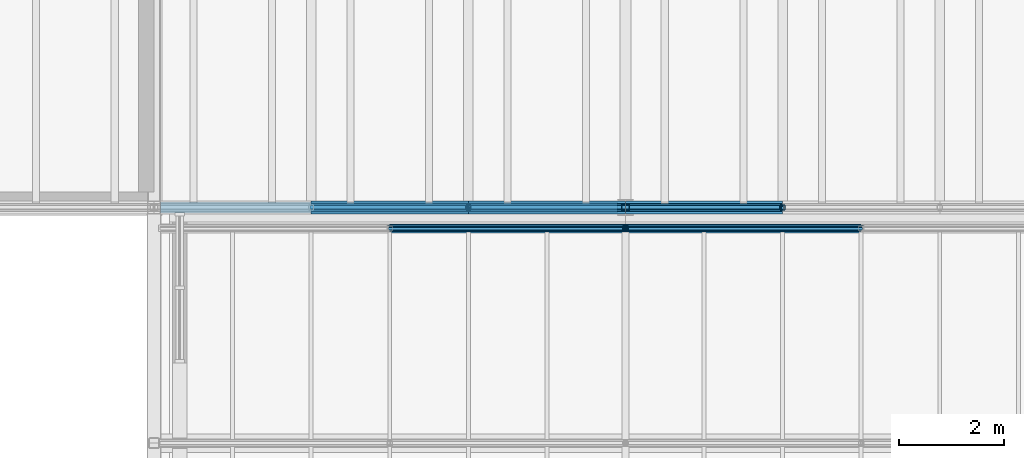
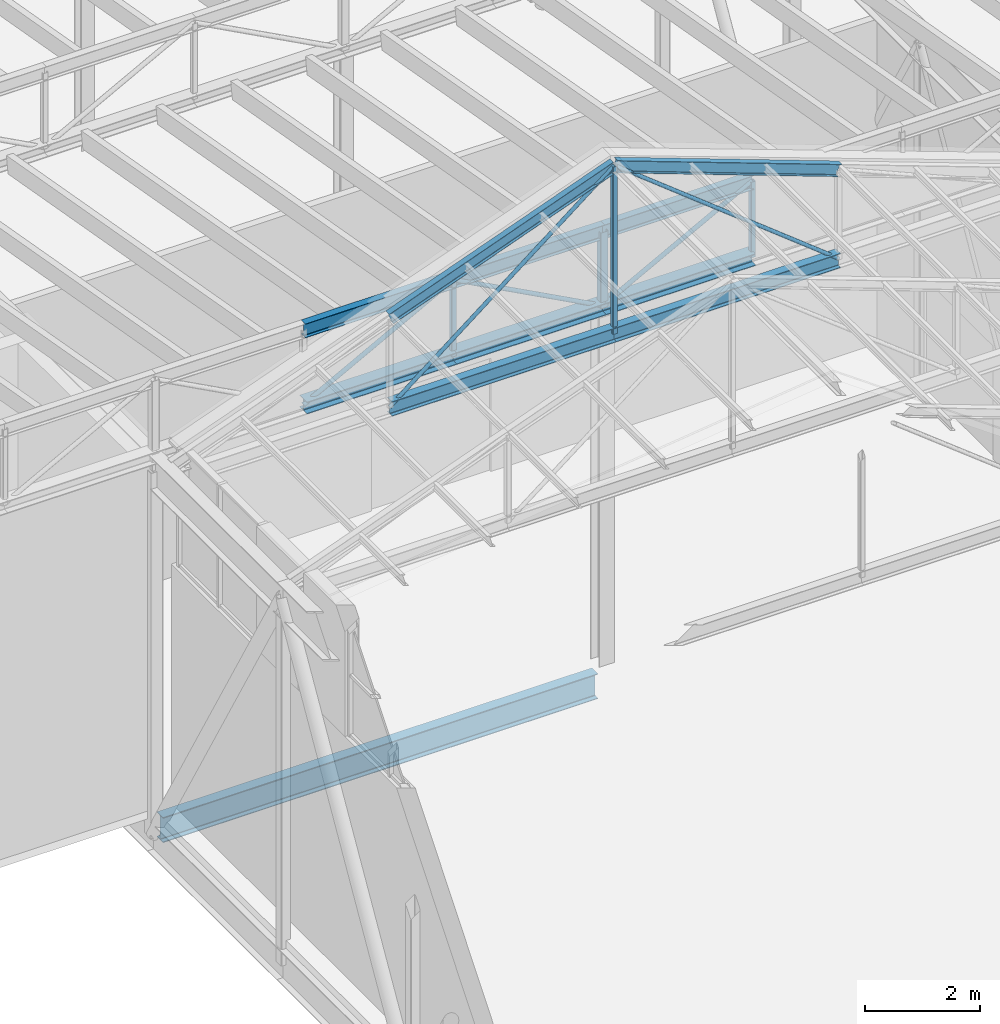
# One storey, part 26 of 90: 19 members, 1 beam.
"""IFC4 building model written with IfcOpenShell, lengths in metres."""

from ifc_helpers import new_model, si_unit, direction, frame, origin, origin_2d, place, context, subcontext, project, spatial, hollow_rectangle, hollow_circle, i_section, extrude, material, material_profile, profile_set, type_object, element, save


model = new_model("IFC4")

# Units and contexts
model_context = context("Model", 3, precision=1e-05, world=origin(), true_north=direction((0.0, 1.0)))
body_context = subcontext(model_context, "Body", "Model", "MODEL_VIEW")
ifc_project = project(units=[si_unit("LENGTHUNIT", "METRE"), si_unit("AREAUNIT", "SQUARE_METRE"), si_unit("VOLUMEUNIT", "CUBIC_METRE"), si_unit("PLANEANGLEUNIT", "RADIAN"), si_unit("MASSUNIT", "GRAM", prefix="KILO")], contexts=[model_context])

# Site, building, storey
site_placement = place(None, origin())
site = spatial("IfcSite", under=ifc_project, at=site_placement, CompositionType="ELEMENT")
building_placement = place(site_placement, origin())
building = spatial("IfcBuilding", under=site, at=building_placement, Name="Halyard Row Museum", CompositionType="ELEMENT")
storey_placement = place(building_placement, frame((0.0, 0.0, 13.39990234375)))
storey = spatial("IfcBuildingStorey", under=building, at=storey_placement, Name="L03", CompositionType="ELEMENT", Elevation=13.39990234375)

# Beam
ifc_material_1 = material(Name="Steel Grade 300", Category="steel")
ifc_material_profile_1 = material_profile(ifc_material_1, i_section(OverallWidth=0.208984375, OverallDepth=0.532958984375, WebThickness=0.01025390625, FlangeThickness=0.015625, FilletRadius=0.013916015625, at=origin_2d()), Name="530UB92.4")
ifc_profile_set_1 = profile_set([ifc_material_profile_1], Name="Steel Grade 300")
beam_type = type_object("IfcBeamType", Name="Girder beam 530UB92.4", PredefinedType="BEAM", material=ifc_profile_set_1)
beam_placement = place(storey_placement, frame((36.125, 18.0, -0.431396484375), z_axis=(1.0, 0.0, 0.0), x_axis=(0.0, 1.0, 0.0)))
element("IfcBeam", 1, at=beam_placement, inside=storey, type_object=beam_type, Name="Beam L03-013", PredefinedType="BEAM", context=body_context, shape_type="SweptSolid", body=[
    extrude(i_section(OverallWidth=0.208984375, OverallDepth=0.532958984375, WebThickness=0.01025390625, FlangeThickness=0.015625, FilletRadius=0.013916015625, at=origin_2d()), origin(), (0.0, 0.0, 1.0), 8.72509765625),
])

# Members
ifc_material_2 = material(Name="Steel Grade C250L0", Category="steel")
ifc_material_profile_2 = material_profile(ifc_material_2, hollow_circle(Radius=0.0380859375, WallThickness=0.00439453125, at=origin_2d()), Name="76.1x4.5CHS")
ifc_profile_set_2 = profile_set([ifc_material_profile_2], Name="Steel Grade C250L0")
member_type_1 = type_object("IfcMemberType", Name="Roof truss diagonal 76.1x4.5CHS", PredefinedType="BRACE", material=ifc_profile_set_2)
for number, where, z_axis, x_axis, name in (
    (2, (40.5, 17.60009765625, 7.197998046875), (0.785101867341, 0.0, 0.619366658691), (0.0, 1.0, 0.0), "V4RT5 diagonal 2"),
    (3, (49.5, 17.60009765625, 7.197998046875), (-0.785101867341, 0.0, 0.619366658691), (0.0, -1.0, 0.0), "V4RT5 diagonal 3"),
):
    element("IfcMember", number, at=place(storey_placement, frame(where, z_axis=z_axis, x_axis=x_axis)), inside=storey, type_object=member_type_1, Name=name, PredefinedType="BRACE", context=body_context, shape_type="SweptSolid", body=[
        extrude(hollow_circle(Radius=0.0380859375, WallThickness=0.00439453125, at=origin_2d()), origin(), (0.0, 0.0, 1.0), 5.731689453125),
    ])
ifc_material_3 = material(Name="Steel Grade C350L0", Category="steel")
ifc_material_profile_3 = material_profile(ifc_material_3, hollow_rectangle(XDim=0.10009765625, YDim=0.10009765625, WallThickness=0.006103515625, InnerFilletRadius=0.009033203125, OuterFilletRadius=0.014892578125, at=origin_2d()), Name="100x100x6.0SHS")
ifc_profile_set_3 = profile_set([ifc_material_profile_3], Name="Steel Grade C350L0")
member_type_2 = type_object("IfcMemberType", Name="Roof truss post 100x100x6.0SHS", PredefinedType="POST", material=ifc_profile_set_3)
member_1_placement = place(storey_placement, frame((45.0, 17.60009765625, 7.197998046875), z_axis=(0.0, 0.0, 1.0), x_axis=(1.0, 0.0, 0.0)))
element("IfcMember", 4, at=member_1_placement, inside=storey, type_object=member_type_2, Name="V4RT5 post 2", PredefinedType="POST", context=body_context, shape_type="SweptSolid", body=[
    extrude(hollow_rectangle(XDim=0.10009765625, YDim=0.10009765625, WallThickness=0.006103515625, InnerFilletRadius=0.009033203125, OuterFilletRadius=0.014892578125, at=origin_2d()), origin(), (0.0, 0.0, 1.0), 3.550048828125),
])
ifc_material_4 = material(Name="Steel Grade 300", Category="steel")
ifc_material_profile_4 = material_profile(ifc_material_4, i_section(OverallWidth=0.1240234375, OverallDepth=0.248046875, WebThickness=0.0048828125, FlangeThickness=0.008056640625, FilletRadius=0.011962890625, at=origin_2d()), Name="250UB25.7")
ifc_profile_set_4 = profile_set([ifc_material_profile_4], Name="Steel Grade 300")
member_type_3 = type_object("IfcMemberType", Name="Roof truss rafter 250UB25.7 end truss", PredefinedType="RAFTER", material=ifc_profile_set_4)
for number, where, z_axis, x_axis, name in (
    (5, (40.5, 17.60009765625, 9.0927734375), (0.938520336973, 0.0, 0.345223952077), (0.0, 1.0, 0.0), "V4RT5 rafter 2"),
    (6, (45.0, 17.60009765625, 10.748046875), (0.938520336973, 0.0, -0.345223952077), (0.0, 1.0, 0.0), "V4RT5 rafter 3"),
):
    element("IfcMember", number, at=place(storey_placement, frame(where, z_axis=z_axis, x_axis=x_axis)), inside=storey, type_object=member_type_3, Name=name, PredefinedType="RAFTER", context=body_context, shape_type="SweptSolid", body=[
        extrude(i_section(OverallWidth=0.1240234375, OverallDepth=0.248046875, WebThickness=0.0048828125, FlangeThickness=0.008056640625, FilletRadius=0.011962890625, at=origin_2d()), origin(), (0.0, 0.0, 1.0), 4.794677734375),
    ])
ifc_material_5 = material(Name="Steel Grade 300", Category="steel")
ifc_material_profile_5 = material_profile(ifc_material_5, i_section(OverallWidth=0.166015625, OverallDepth=0.30712890625, WebThickness=0.006591796875, FlangeThickness=0.01171875, FilletRadius=0.011474609375, at=origin_2d()), Name="310UB46.2")
ifc_profile_set_5 = profile_set([ifc_material_profile_5], Name="Steel Grade 300")
member_type_4 = type_object("IfcMemberType", Name="Roof truss tie 310UB46.2 end truss", PredefinedType="CHORD", material=ifc_profile_set_5)
for number, where, z_axis, x_axis, name in (
    (7, (40.5, 17.60009765625, 7.197998046875), (1.0, 0.0, 0.0), (0.0, 1.0, 0.0), "V4RT5 tie 2"),
    (8, (45.0, 17.60009765625, 7.197998046875), (1.0, 0.0, 0.0), (0.0, 1.0, 0.0), "V4RT5 tie 3"),
):
    element("IfcMember", number, at=place(storey_placement, frame(where, z_axis=z_axis, x_axis=x_axis)), inside=storey, type_object=member_type_4, Name=name, PredefinedType="CHORD", context=body_context, shape_type="SweptSolid", body=[
        extrude(i_section(OverallWidth=0.166015625, OverallDepth=0.30712890625, WebThickness=0.006591796875, FlangeThickness=0.01171875, FilletRadius=0.011474609375, at=origin_2d()), origin(), (0.0, 0.0, 1.0), 4.5),
    ])
ifc_material_6 = material(Name="Steel Grade 300", Category="steel")
ifc_material_profile_6 = material_profile(ifc_material_6, i_section(OverallWidth=0.25390625, OverallDepth=0.25390625, WebThickness=0.008544921875, FlangeThickness=0.01416015625, FilletRadius=0.013916015625, at=origin_2d()), Name="250UC72.9")
ifc_profile_set_6 = profile_set([ifc_material_profile_6], Name="Steel Grade 300")
member_type_5 = type_object("IfcMemberType", Name="Valley truss bottom chord 250UC72.9", PredefinedType="CHORD", material=ifc_profile_set_6)
for number, where, z_axis, x_axis, name in (
    (9, (39.0, 18.0, 7.527099609375), (1.0, 0.0, 0.0), (0.0, 1.0, 0.0), "V1-VT1 bottom chord 2.2"),
    (10, (42.0, 18.0, 7.527099609375), (1.0, 0.0, 0.0), (0.0, 1.0, 0.0), "V1-VT1 bottom chord 2.3"),
    (11, (45.0, 18.0, 7.527099609375), (1.0, 0.0, 0.0), (0.0, 1.0, 0.0), "V1-VT1 bottom chord 3.1"),
):
    element("IfcMember", number, at=place(storey_placement, frame(where, z_axis=z_axis, x_axis=x_axis)), inside=storey, type_object=member_type_5, Name=name, PredefinedType="CHORD", context=body_context, shape_type="SweptSolid", body=[
        extrude(i_section(OverallWidth=0.25390625, OverallDepth=0.25390625, WebThickness=0.008544921875, FlangeThickness=0.01416015625, FilletRadius=0.013916015625, at=origin_2d()), origin(), (0.0, 0.0, 1.0), 3.0),
    ])
ifc_material_7 = material(Name="Steel Grade C250L0", Category="steel")
ifc_material_profile_7 = material_profile(ifc_material_7, hollow_circle(Radius=0.04443359375, WallThickness=0.0048828125, at=origin_2d()), Name="88.9x5.0CHS")
ifc_profile_set_7 = profile_set([ifc_material_profile_7], Name="Steel Grade C250L0")
member_type_6 = type_object("IfcMemberType", Name="Valley truss diagonal 88.9x5.0CHS", PredefinedType="BRACE", material=ifc_profile_set_7)
for number, where, z_axis, x_axis, name in (
    (12, (39.0, 18.0, 7.527099609375), (0.881863759518, 0.0, 0.471504305016), (0.0, 1.0, 0.0), "V1-VT1 diagonal 2.2"),
    (13, (42.0, 18.0, 9.131103515625), (0.881863759518, 0.0, -0.471504305016), (0.0, 1.0, 0.0), "V1-VT1 diagonal 2.3"),
    (14, (45.0, 18.0, 7.527099609375), (0.881863759518, 0.0, 0.471504305016), (0.0, 1.0, 0.0), "V1-VT1 diagonal 3.1"),
):
    element("IfcMember", number, at=place(storey_placement, frame(where, z_axis=z_axis, x_axis=x_axis)), inside=storey, type_object=member_type_6, Name=name, PredefinedType="BRACE", context=body_context, shape_type="SweptSolid", body=[
        extrude(hollow_circle(Radius=0.04443359375, WallThickness=0.0048828125, at=origin_2d()), origin(), (0.0, 0.0, 1.0), 3.40185546875),
    ])
ifc_material_8 = material(Name="Steel Grade C350L0", Category="steel")
ifc_material_profile_8 = material_profile(ifc_material_8, hollow_rectangle(XDim=0.10009765625, YDim=0.10009765625, WallThickness=0.006103515625, InnerFilletRadius=0.009033203125, OuterFilletRadius=0.014892578125, at=origin_2d()), Name="100x100x6.0SHS")
ifc_profile_set_8 = profile_set([ifc_material_profile_8], Name="Steel Grade C350L0")
member_type_7 = type_object("IfcMemberType", Name="Valley truss post 100x100x6.0SHS", PredefinedType="POST", material=ifc_profile_set_8)
for number, where, z_axis, x_axis, name in (
    (15, (42.0, 18.0, 7.527099609375), (0.0, 0.0, 1.0), (1.0, 0.0, 0.0), "V1-VT1 post 2.2"),
    (16, (48.0, 18.0, 7.527099609375), (0.0, 0.0, 1.0), (1.0, 0.0, 0.0), "V1-VT1 post 3.1"),
):
    element("IfcMember", number, at=place(storey_placement, frame(where, z_axis=z_axis, x_axis=x_axis)), inside=storey, type_object=member_type_7, Name=name, PredefinedType="POST", context=body_context, shape_type="SweptSolid", body=[
        extrude(hollow_rectangle(XDim=0.10009765625, YDim=0.10009765625, WallThickness=0.006103515625, InnerFilletRadius=0.009033203125, OuterFilletRadius=0.014892578125, at=origin_2d()), origin(), (0.0, 0.0, 1.0), 1.60400390625),
    ])
ifc_material_9 = material(Name="Steel Grade C350L0", Category="steel")
ifc_material_profile_9 = material_profile(ifc_material_9, hollow_rectangle(XDim=0.14990234375, YDim=0.14990234375, WallThickness=0.006103515625, InnerFilletRadius=0.009033203125, OuterFilletRadius=0.014892578125, at=origin_2d()), Name="150x150x6.0SHS")
ifc_profile_set_9 = profile_set([ifc_material_profile_9], Name="Steel Grade C350L0")
member_type_8 = type_object("IfcMemberType", Name="Valley truss post 150x150x6.0SHS", PredefinedType="POST", material=ifc_profile_set_9)
member_2_placement = place(storey_placement, frame((45.0, 18.0, 7.527099609375), z_axis=(0.0, 0.0, 1.0), x_axis=(1.0, 0.0, 0.0)))
element("IfcMember", 17, at=member_2_placement, inside=storey, type_object=member_type_8, Name="V1-VT1 post 2.3", PredefinedType="POST", context=body_context, shape_type="SweptSolid", body=[
    extrude(hollow_rectangle(XDim=0.14990234375, YDim=0.14990234375, WallThickness=0.006103515625, InnerFilletRadius=0.009033203125, OuterFilletRadius=0.014892578125, at=origin_2d()), origin(), (0.0, 0.0, 1.0), 1.60400390625),
])
ifc_material_10 = material(Name="Steel Grade 300", Category="steel")
ifc_material_profile_10 = material_profile(ifc_material_10, i_section(OverallWidth=0.14892578125, OverallDepth=0.298095703125, WebThickness=0.005615234375, FlangeThickness=0.008056640625, FilletRadius=0.012939453125, at=origin_2d()), Name="310UB32.0")
ifc_profile_set_10 = profile_set([ifc_material_profile_10], Name="Steel Grade 300")
member_type_9 = type_object("IfcMemberType", Name="Valley truss top chord 310UB32.0", PredefinedType="CHORD", material=ifc_profile_set_10)
for number, where, z_axis, x_axis, name in (
    (18, (39.0, 18.0, 9.131103515625), (1.0, 0.0, 0.0), (0.0, 1.0, 0.0), "V1-VT1 top chord 2.2"),
    (19, (42.0, 18.0, 9.131103515625), (1.0, 0.0, 0.0), (0.0, 1.0, 0.0), "V1-VT1 top chord 2.3"),
    (20, (45.0, 18.0, 9.131103515625), (1.0, 0.0, 0.0), (0.0, 1.0, 0.0), "V1-VT1 top chord 3.1"),
):
    element("IfcMember", number, at=place(storey_placement, frame(where, z_axis=z_axis, x_axis=x_axis)), inside=storey, type_object=member_type_9, Name=name, PredefinedType="CHORD", context=body_context, shape_type="SweptSolid", body=[
        extrude(i_section(OverallWidth=0.14892578125, OverallDepth=0.298095703125, WebThickness=0.005615234375, FlangeThickness=0.008056640625, FilletRadius=0.012939453125, at=origin_2d()), origin(), (0.0, 0.0, 1.0), 3.0),
    ])

save(model, "model.ifc")
